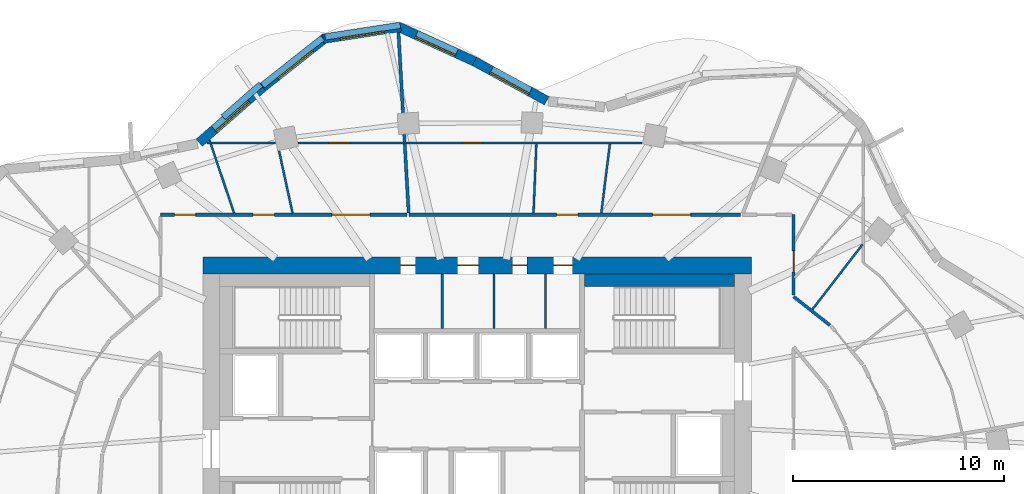
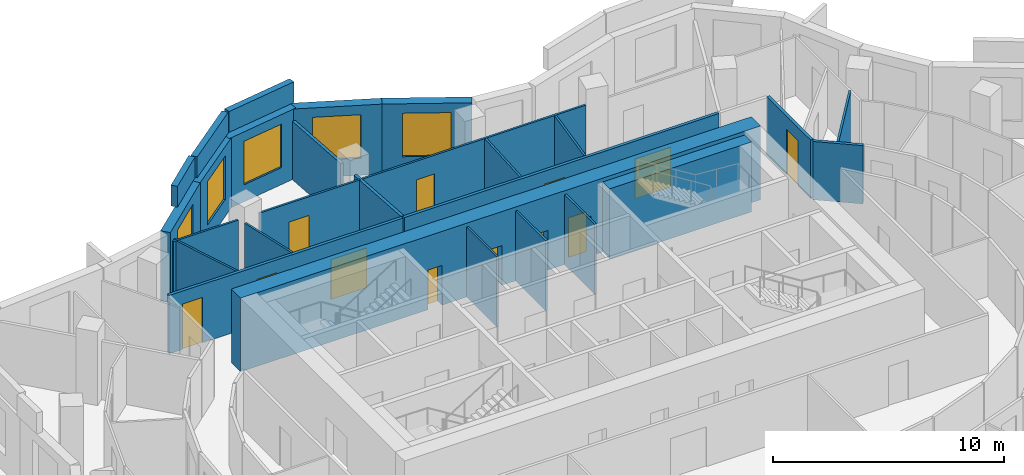
# One storey, part 9 of 12: 27 walls, 12 doors, 5 windows, 17 openings.
"""IFC4 building model written with IfcOpenShell, lengths in metres."""

from ifc_helpers import new_model, si_unit, direction, frame, frame_2d, origin, place, context, subcontext, project, spatial, rectangle, extrude, material, layer, layer_set, type_object, element, fill, save


model = new_model("IFC4")

# Units and contexts
model_context = context("Model", 3, precision=1e-05, world=origin(), true_north=direction((0.0, 1.0)))
body_context = subcontext(model_context, "Body", "Model", "MODEL_VIEW")
ifc_project = project(units=[si_unit("LENGTHUNIT", "METRE"), si_unit("AREAUNIT", "SQUARE_METRE"), si_unit("VOLUMEUNIT", "CUBIC_METRE"), si_unit("PLANEANGLEUNIT", "RADIAN"), si_unit("MASSUNIT", "GRAM", prefix="KILO")], contexts=[model_context])

# Site, building, storey
site_placement = place(None, origin())
site = spatial("IfcSite", under=ifc_project, at=site_placement, CompositionType="ELEMENT")
building_placement = place(site_placement, origin())
building = spatial("IfcBuilding", under=site, at=building_placement, Name="Rubra Terraces Tower", CompositionType="ELEMENT")
storey_placement = place(building_placement, frame((0.0, 0.0, 201.300048828125)))
storey = spatial("IfcBuildingStorey", under=building, at=storey_placement, Name="L49", CompositionType="ELEMENT", Elevation=201.300048828125)

# Wall, opening, window
ifc_material_1 = material(Name="Brick masonry red-brown", Category="masonry")
ifc_layer_1 = layer(ifc_material_1, 0.449951171875)
ifc_layer_set_1 = layer_set([ifc_layer_1], Name="Brick masonry red-brown")
wall_type_1 = type_object("IfcWallType", Name="Brick facade wall 450", PredefinedType="SOLIDWALL", material=ifc_layer_set_1)
wall_1_placement = place(storey_placement, frame((3.302001953125, 19.40087890625, 0.0), z_axis=(0.0, 0.0, 1.0), x_axis=(-0.878060540763, 0.47854956562, 0.0)))
wall_1 = element("IfcWall", 1, at=wall_1_placement, inside=storey, type_object=wall_type_1, Name="Facade wall L49 bay 10", PredefinedType="SOLIDWALL", context=body_context, shape_type="SweptSolid", body=[
    extrude(rectangle(XDim=3.9013671875, YDim=0.449951171875, at=frame_2d((1.95068359375, 0.0))), origin(), (0.0, 0.0, 1.0), 3.699951171875),
])
opening_1_placement = place(wall_1_placement, frame((0.900634765625, 0.0, 0.89990234375)))
opening_1 = element("IfcOpeningElement", 2, at=opening_1_placement, cuts=wall_1, Name="Opening W1B", PredefinedType="OPENING", context=body_context, shape_type="SweptSolid", body=[
    extrude(rectangle(XDim=2.10009765625, YDim=2.300048828125, at=frame_2d((1.050048828125, 1.14990234375))), frame((0.0, 0.23486328125, 0.0), z_axis=(0.0, -1.0, 0.0), x_axis=(1.0, 0.0, 0.0)), (0.0, 0.0, 1.0), 0.469970703125),
])
ifc_material_2 = material(Name="Clear glass in aluminium frame", Category="aluminium")
window_type = type_object("IfcWindowType", Name="Fixed deep-set window tall storey 2100 x 2300", PartitioningType="SINGLE_PANEL", PredefinedType="WINDOW", material=ifc_material_2)
window_1_placement = place(opening_1_placement, origin())
window_1 = element("IfcWindow", 3, at=window_1_placement, inside=storey, type_object=window_type, Name="Window L49 bay 10", OverallHeight=2.300048828125, OverallWidth=2.10009765625, PartitioningType="SINGLE_PANEL", PredefinedType="WINDOW", context=body_context, shape_type="SweptSolid", body=[
    extrude(rectangle(XDim=2.10009765625, YDim=2.300048828125, at=frame_2d((1.050048828125, 1.14990234375))), frame((0.0, 0.135009765625, 0.0), z_axis=(0.0, -1.0, 0.0), x_axis=(1.0, 0.0, 0.0)), (0.0, 0.0, 1.0), 0.06005859375),
])
fill(opening_1, window_1)

wall_2_placement = place(storey_placement, frame((-0.109130859375, 21.260986328125, 0.0), z_axis=(0.0, 0.0, 1.0), x_axis=(-0.910040573706, 0.414519184367, 0.0)))
wall_2 = element("IfcWall", 4, at=wall_2_placement, inside=storey, type_object=wall_type_1, Name="Facade wall L49 bay 11", PredefinedType="SOLIDWALL", context=body_context, shape_type="SweptSolid", body=[
    extrude(rectangle(XDim=4.005615234375, YDim=0.449951171875, at=frame_2d((2.0029296875, 0.0))), origin(), (0.0, 0.0, 1.0), 3.699951171875),
])
opening_2_placement = place(wall_2_placement, frame((0.952880859375, 0.0, 0.89990234375)))
opening_2 = element("IfcOpeningElement", 5, at=opening_2_placement, cuts=wall_2, Name="Opening W1B", PredefinedType="OPENING", context=body_context, shape_type="SweptSolid", body=[
    extrude(rectangle(XDim=2.10009765625, YDim=2.300048828125, at=frame_2d((1.050048828125, 1.14990234375))), frame((0.0, 0.23486328125, 0.0), z_axis=(0.0, -1.0, 0.0), x_axis=(1.0, 0.0, 0.0)), (0.0, 0.0, 1.0), 0.469970703125),
])
window_2_placement = place(opening_2_placement, origin())
window_2 = element("IfcWindow", 6, at=window_2_placement, inside=storey, type_object=window_type, Name="Window L49 bay 11", OverallHeight=2.300048828125, OverallWidth=2.10009765625, PartitioningType="SINGLE_PANEL", PredefinedType="WINDOW", context=body_context, shape_type="SweptSolid", body=[
    extrude(rectangle(XDim=2.10009765625, YDim=2.300048828125, at=frame_2d((1.050048828125, 1.14990234375))), frame((0.0, 0.135009765625, 0.0), z_axis=(0.0, -1.0, 0.0), x_axis=(1.0, 0.0, 0.0)), (0.0, 0.0, 1.0), 0.06005859375),
])
fill(opening_2, window_2)

wall_3_placement = place(storey_placement, frame((-3.628662109375, 22.904541015625, 0.0), z_axis=(0.0, 0.0, 1.0), x_axis=(-0.988300084321, -0.152521943772, 0.0)))
wall_3 = element("IfcWall", 7, at=wall_3_placement, inside=storey, type_object=wall_type_1, Name="Facade wall L49 bay 12", PredefinedType="SOLIDWALL", context=body_context, shape_type="SweptSolid", body=[
    extrude(rectangle(XDim=3.71044921875, YDim=0.449951171875, at=frame_2d((1.855224609375, 0.0))), origin(), (0.0, 0.0, 1.0), 3.699951171875),
])
opening_3_placement = place(wall_3_placement, frame((0.80517578125, 0.0, 0.89990234375)))
opening_3 = element("IfcOpeningElement", 8, at=opening_3_placement, cuts=wall_3, Name="Opening W1B", PredefinedType="OPENING", context=body_context, shape_type="SweptSolid", body=[
    extrude(rectangle(XDim=2.10009765625, YDim=2.300048828125, at=frame_2d((1.050048828125, 1.14990234375))), frame((0.0, 0.23486328125, 0.0), z_axis=(0.0, -1.0, 0.0), x_axis=(1.0, 0.0, 0.0)), (0.0, 0.0, 1.0), 0.469970703125),
])
window_3_placement = place(opening_3_placement, origin())
window_3 = element("IfcWindow", 9, at=window_3_placement, inside=storey, type_object=window_type, Name="Window L49 bay 12", OverallHeight=2.300048828125, OverallWidth=2.10009765625, PartitioningType="SINGLE_PANEL", PredefinedType="WINDOW", context=body_context, shape_type="SweptSolid", body=[
    extrude(rectangle(XDim=2.10009765625, YDim=2.300048828125, at=frame_2d((1.050048828125, 1.14990234375))), frame((0.0, 0.135009765625, 0.0), z_axis=(0.0, -1.0, 0.0), x_axis=(1.0, 0.0, 0.0)), (0.0, 0.0, 1.0), 0.06005859375),
])
fill(opening_3, window_3)

wall_4_placement = place(storey_placement, frame((-7.192626953125, 22.3828125, 0.0), z_axis=(0.0, 0.0, 1.0), x_axis=(-0.784803291184, -0.619744942816, 0.0)))
wall_4 = element("IfcWall", 10, at=wall_4_placement, inside=storey, type_object=wall_type_1, Name="Facade wall L49 bay 13", PredefinedType="SOLIDWALL", context=body_context, shape_type="SweptSolid", body=[
    extrude(rectangle(XDim=3.774658203125, YDim=0.449951171875, at=frame_2d((1.88720703125, 0.0))), origin(), (0.0, 0.0, 1.0), 3.699951171875),
])
opening_4_placement = place(wall_4_placement, frame((0.83740234375, 0.0, 0.89990234375)))
opening_4 = element("IfcOpeningElement", 11, at=opening_4_placement, cuts=wall_4, Name="Opening W1B", PredefinedType="OPENING", context=body_context, shape_type="SweptSolid", body=[
    extrude(rectangle(XDim=2.10009765625, YDim=2.300048828125, at=frame_2d((1.050048828125, 1.14990234375))), frame((0.0, 0.23486328125, 0.0), z_axis=(0.0, -1.0, 0.0), x_axis=(1.0, 0.0, 0.0)), (0.0, 0.0, 1.0), 0.469970703125),
])
window_4_placement = place(opening_4_placement, origin())
window_4 = element("IfcWindow", 12, at=window_4_placement, inside=storey, type_object=window_type, Name="Window L49 bay 13", OverallHeight=2.300048828125, OverallWidth=2.10009765625, PartitioningType="SINGLE_PANEL", PredefinedType="WINDOW", context=body_context, shape_type="SweptSolid", body=[
    extrude(rectangle(XDim=2.10009765625, YDim=2.300048828125, at=frame_2d((1.050048828125, 1.14990234375))), frame((0.0, 0.135009765625, 0.0), z_axis=(0.0, -1.0, 0.0), x_axis=(1.0, 0.0, 0.0)), (0.0, 0.0, 1.0), 0.06005859375),
])
fill(opening_4, window_4)

wall_5_placement = place(storey_placement, frame((-10.146484375, 20.050537109375, 0.0), z_axis=(0.0, 0.0, 1.0), x_axis=(-0.753278140428, -0.657702093013, 0.0)))
wall_5 = element("IfcWall", 13, at=wall_5_placement, inside=storey, type_object=wall_type_1, Name="Facade wall L49 bay 14", PredefinedType="SOLIDWALL", context=body_context, shape_type="SweptSolid", body=[
    extrude(rectangle(XDim=4.0078125, YDim=0.449951171875, at=frame_2d((2.00390625, 0.0))), origin(), (0.0, 0.0, 1.0), 3.699951171875),
])
opening_5_placement = place(wall_5_placement, frame((0.9541015625, 0.0, 0.89990234375)))
opening_5 = element("IfcOpeningElement", 14, at=opening_5_placement, cuts=wall_5, Name="Opening W1B", PredefinedType="OPENING", context=body_context, shape_type="SweptSolid", body=[
    extrude(rectangle(XDim=2.10009765625, YDim=2.300048828125, at=frame_2d((1.050048828125, 1.14990234375))), frame((0.0, 0.23486328125, 0.0), z_axis=(0.0, -1.0, 0.0), x_axis=(1.0, 0.0, 0.0)), (0.0, 0.0, 1.0), 0.469970703125),
])
window_5_placement = place(opening_5_placement, origin())
window_5 = element("IfcWindow", 15, at=window_5_placement, inside=storey, type_object=window_type, Name="Window L49 bay 14", OverallHeight=2.300048828125, OverallWidth=2.10009765625, PartitioningType="SINGLE_PANEL", PredefinedType="WINDOW", context=body_context, shape_type="SweptSolid", body=[
    extrude(rectangle(XDim=2.10009765625, YDim=2.300048828125, at=frame_2d((1.050048828125, 1.14990234375))), frame((0.0, 0.135009765625, 0.0), z_axis=(0.0, -1.0, 0.0), x_axis=(1.0, 0.0, 0.0)), (0.0, 0.0, 1.0), 0.06005859375),
])
fill(opening_5, window_5)

# Walls
ifc_layer_2 = layer(ifc_material_1, 0.300048828125)
ifc_layer_set_2 = layer_set([ifc_layer_2], Name="Brick masonry red-brown")
wall_type_2 = type_object("IfcWallType", Name="Brick parapet 300", PredefinedType="PARAPET", material=ifc_layer_set_2)
wall_6_placement = place(storey_placement, frame((-3.64013671875, 22.978759765625, 3.89990234375), z_axis=(0.0, 0.0, 1.0), x_axis=(-0.988299486994, -0.152525814235, 0.0)))
element("IfcWall", 16, at=wall_6_placement, inside=storey, type_object=wall_type_2, Name="Parapet L49 bay 12", PredefinedType="PARAPET", context=body_context, shape_type="SweptSolid", body=[
    extrude(rectangle(XDim=3.6015625, YDim=0.300048828125, at=frame_2d((1.80078125, 0.0))), origin(), (0.0, 0.0, 1.0), 1.10009765625),
])
wall_7_placement = place(storey_placement, frame((-7.322509765625, 22.375732421875, 3.89990234375), z_axis=(0.0, 0.0, 1.0), x_axis=(-0.784819122577, -0.61972489448, 0.0)))
element("IfcWall", 17, at=wall_7_placement, inside=storey, type_object=wall_type_2, Name="Parapet L49 bay 13", PredefinedType="PARAPET", context=body_context, shape_type="SweptSolid", body=[
    extrude(rectangle(XDim=3.63330078125, YDim=0.300048828125, at=frame_2d((1.816650390625, 0.0))), origin(), (0.0, 0.0, 1.0), 1.10009765625),
])
wall_8_placement = place(storey_placement, frame((-10.252197265625, 20.17431640625, 3.89990234375), z_axis=(0.0, 0.0, 1.0), x_axis=(-0.753260147018, -0.657722700622, 0.0)))
element("IfcWall", 18, at=wall_8_placement, inside=storey, type_object=wall_type_2, Name="Parapet L49 bay 14", PredefinedType="PARAPET", context=body_context, shape_type="SweptSolid", body=[
    extrude(rectangle(XDim=2.366455078125, YDim=0.300048828125, at=frame_2d((1.18310546875, 0.0))), origin(), (0.0, 0.0, 1.0), 1.10009765625),
])

# Wall, openings, doors
ifc_material_3 = material(Name="Concrete C50", Category="concrete")
ifc_layer_3 = layer(ifc_material_3, 0.800048828125)
ifc_layer_set_3 = layer_set([ifc_layer_3], Name="Concrete C50")
wall_type_3 = type_object("IfcWallType", Name="CORE WALL 800 C50", PredefinedType="SHEAR", material=ifc_layer_set_3)
wall_9_placement = place(storey_placement, frame((-13.0, 11.60009765625, 0.0), z_axis=(0.0, 0.0, 1.0), x_axis=(1.0, 0.0, 0.0)))
wall_9 = element("IfcWall", 19, at=wall_9_placement, inside=storey, type_object=wall_type_3, Name="CORE WALL N L49", PredefinedType="SHEAR", context=body_context, shape_type="SweptSolid", body=[
    extrude(rectangle(XDim=26.0, YDim=0.800048828125, at=frame_2d((13.0, 0.0))), origin(), (0.0, 0.0, 1.0), 3.89990234375),
])
opening_6_placement = place(wall_9_placement, frame((9.375, 0.0, 0.0)))
opening_6 = element("IfcOpeningElement", 20, at=opening_6_placement, cuts=wall_9, Name="Opening L49.C25", PredefinedType="OPENING", context=body_context, shape_type="SweptSolid", body=[
    extrude(rectangle(XDim=0.699951171875, YDim=2.10009765625, at=frame_2d((0.35009765625, 1.050048828125))), frame((0.0, 0.409912109375, 0.0), z_axis=(0.0, -1.0, 0.0), x_axis=(1.0, 0.0, 0.0)), (0.0, 0.0, 1.0), 0.820068359375),
])
opening_7_placement = place(wall_9_placement, frame((12.074951171875, 0.0, 0.0)))
opening_7 = element("IfcOpeningElement", 21, at=opening_7_placement, cuts=wall_9, Name="Opening L49.C26", PredefinedType="OPENING", context=body_context, shape_type="SweptSolid", body=[
    extrude(rectangle(XDim=1.0, YDim=2.10009765625, at=frame_2d((0.5, 1.050048828125))), frame((0.0, 0.409912109375, 0.0), z_axis=(0.0, -1.0, 0.0), x_axis=(1.0, 0.0, 0.0)), (0.0, 0.0, 1.0), 0.820068359375),
])
opening_8_placement = place(wall_9_placement, frame((14.675048828125, 0.0, 0.0)))
opening_8 = element("IfcOpeningElement", 22, at=opening_8_placement, cuts=wall_9, Name="Opening L49.C27", PredefinedType="OPENING", context=body_context, shape_type="SweptSolid", body=[
    extrude(rectangle(XDim=0.699951171875, YDim=2.10009765625, at=frame_2d((0.35009765625, 1.050048828125))), frame((0.0, 0.409912109375, 0.0), z_axis=(0.0, -1.0, 0.0), x_axis=(1.0, 0.0, 0.0)), (0.0, 0.0, 1.0), 0.820068359375),
])
opening_9_placement = place(wall_9_placement, frame((16.625, 0.0, 0.0)))
opening_9 = element("IfcOpeningElement", 23, at=opening_9_placement, cuts=wall_9, Name="Opening L49.C28", PredefinedType="OPENING", context=body_context, shape_type="SweptSolid", body=[
    extrude(rectangle(XDim=0.89990234375, YDim=2.10009765625, at=frame_2d((0.449951171875, 1.050048828125))), frame((0.0, 0.409912109375, 0.0), z_axis=(0.0, -1.0, 0.0), x_axis=(1.0, 0.0, 0.0)), (0.0, 0.0, 1.0), 0.820068359375),
])
ifc_material_4 = material(Name="Painted steel", Category="steel")
door_type_1 = type_object("IfcDoorType", Name="Fire door 1000x2100 single", OperationType="NOTDEFINED", PredefinedType="DOOR", material=ifc_material_4)
door_1_placement = place(opening_7_placement, origin())
door_1 = element("IfcDoor", 24, at=door_1_placement, inside=storey, type_object=door_type_1, Name="General store door", OperationType="SINGLE_SWING_RIGHT", OverallHeight=2.10009765625, OverallWidth=1.0, PredefinedType="DOOR", context=body_context, shape_type="SweptSolid", body=[
    extrude(rectangle(XDim=1.0, YDim=2.10009765625, at=frame_2d((0.5, 1.050048828125))), frame((0.0, 0.02490234375, 0.0), z_axis=(0.0, -1.0, 0.0), x_axis=(1.0, 0.0, 0.0)), (0.0, 0.0, 1.0), 0.050048828125),
])
fill(opening_7, door_1)
door_type_2 = type_object("IfcDoorType", Name="Fire door 900x2100 single", OperationType="NOTDEFINED", PredefinedType="DOOR", material=ifc_material_4)
door_2_placement = place(opening_9_placement, origin())
door_2 = element("IfcDoor", 25, at=door_2_placement, inside=storey, type_object=door_type_2, Name="Cleaner's store door", OperationType="SINGLE_SWING_RIGHT", OverallHeight=2.10009765625, OverallWidth=0.89990234375, PredefinedType="DOOR", context=body_context, shape_type="SweptSolid", body=[
    extrude(rectangle(XDim=0.89990234375, YDim=2.10009765625, at=frame_2d((0.449951171875, 1.050048828125))), frame((0.0, 0.02490234375, 0.0), z_axis=(0.0, -1.0, 0.0), x_axis=(1.0, 0.0, 0.0)), (0.0, 0.0, 1.0), 0.050048828125),
])
fill(opening_9, door_2)
door_type_3 = type_object("IfcDoorType", Name="Riser access door 700x2100 single", OperationType="NOTDEFINED", PredefinedType="DOOR", material=ifc_material_4)
door_3_placement = place(opening_6_placement, origin())
door_3 = element("IfcDoor", 26, at=door_3_placement, inside=storey, type_object=door_type_3, Name="Telecoms room door", OperationType="SINGLE_SWING_LEFT", OverallHeight=2.10009765625, OverallWidth=0.699951171875, PredefinedType="DOOR", context=body_context, shape_type="SweptSolid", body=[
    extrude(rectangle(XDim=0.699951171875, YDim=2.10009765625, at=frame_2d((0.35009765625, 1.050048828125))), frame((0.0, 0.02490234375, 0.0), z_axis=(0.0, -1.0, 0.0), x_axis=(1.0, 0.0, 0.0)), (0.0, 0.0, 1.0), 0.050048828125),
])
fill(opening_6, door_3)
door_4_placement = place(opening_8_placement, origin())
door_4 = element("IfcDoor", 27, at=door_4_placement, inside=storey, type_object=door_type_3, Name="Electrical riser room door", OperationType="SINGLE_SWING_LEFT", OverallHeight=2.10009765625, OverallWidth=0.699951171875, PredefinedType="DOOR", context=body_context, shape_type="SweptSolid", body=[
    extrude(rectangle(XDim=0.699951171875, YDim=2.10009765625, at=frame_2d((0.35009765625, 1.050048828125))), frame((0.0, 0.02490234375, 0.0), z_axis=(0.0, -1.0, 0.0), x_axis=(1.0, 0.0, 0.0)), (0.0, 0.0, 1.0), 0.050048828125),
])
fill(opening_8, door_4)

# Wall
ifc_material_5 = material(Name="Plasterboard on steel stud, mineral wool infill", Category="steel")
ifc_layer_4 = layer(ifc_material_5, 0.14990234375)
ifc_layer_set_4 = layer_set([ifc_layer_4], Name="Plasterboard on steel stud, mineral wool infill")
wall_type_4 = type_object("IfcWallType", Name="CORRIDOR PARTITION 150", PredefinedType="PARTITIONING", material=ifc_layer_set_4)
wall_10_placement = place(storey_placement, frame((16.723876953125, 8.761474609375, 0.0), z_axis=(0.0, 0.0, 1.0), x_axis=(-0.785124633057, 0.619337800047, 0.0)))
element("IfcWall", 28, at=wall_10_placement, inside=storey, type_object=wall_type_4, Name="PARTITION", PredefinedType="PARTITIONING", context=body_context, shape_type="SweptSolid", body=[
    extrude(rectangle(XDim=2.195556640625, YDim=0.14990234375, at=frame_2d((1.09765625, 0.0))), origin(), (0.0, 0.0, 1.0), 3.083984375),
])

# Wall, opening, door
wall_11_placement = place(storey_placement, frame((15.0, 10.1962890625, 0.0), z_axis=(0.0, 0.0, 1.0), x_axis=(0.0, 1.0, 0.0)))
wall_11 = element("IfcWall", 29, at=wall_11_placement, inside=storey, type_object=wall_type_4, Name="PARTITION", PredefinedType="PARTITIONING", context=body_context, shape_type="SweptSolid", body=[
    extrude(rectangle(XDim=3.8037109375, YDim=0.14990234375, at=frame_2d((1.90185546875, 0.0))), origin(), (0.0, 0.0, 1.0), 3.083984375),
])
opening_10_placement = place(wall_11_placement, frame((1.096923828125, 0.0, 0.0)))
opening_10 = element("IfcOpeningElement", 30, at=opening_10_placement, cuts=wall_11, Name="Opening 49-103", PredefinedType="OPENING", context=body_context, shape_type="SweptSolid", body=[
    extrude(rectangle(XDim=1.0, YDim=2.39990234375, at=frame_2d((0.5, 1.199951171875))), frame((0.0, 0.0849609375, 0.0), z_axis=(0.0, -1.0, 0.0), x_axis=(1.0, 0.0, 0.0)), (0.0, 0.0, 1.0), 0.169921875),
])
ifc_material_6 = material(Name="Glazed aluminium meeting door leaf", Category="aluminium")
door_type_4 = type_object("IfcDoorType", Name="MEETING ROOM GLAZED DOOR 1000 X 2400", OperationType="SINGLE_SWING_LEFT", PredefinedType="DOOR", material=ifc_material_6)
door_5_placement = place(opening_10_placement, origin())
door_5 = element("IfcDoor", 31, at=door_5_placement, inside=storey, type_object=door_type_4, Name="DOOR 49-103", OperationType="SINGLE_SWING_RIGHT", OverallHeight=2.39990234375, OverallWidth=1.0, PredefinedType="DOOR", context=body_context, shape_type="SweptSolid", body=[
    extrude(rectangle(XDim=1.0, YDim=2.39990234375, at=frame_2d((0.5, 1.199951171875))), frame((0.0, 0.02490234375, 0.0), z_axis=(0.0, -1.0, 0.0), x_axis=(1.0, 0.0, 0.0)), (0.0, 0.0, 1.0), 0.050048828125),
])
fill(opening_10, door_5)

# Wall, openings, doors
wall_12_placement = place(storey_placement, frame((12.494384765625, 14.0, 0.0), z_axis=(0.0, 0.0, 1.0), x_axis=(-1.0, 0.0, 0.0)))
wall_12 = element("IfcWall", 32, at=wall_12_placement, inside=storey, type_object=wall_type_4, Name="PARTITION", PredefinedType="PARTITIONING", context=body_context, shape_type="SweptSolid", body=[
    extrude(rectangle(XDim=15.732666015625, YDim=0.14990234375, at=frame_2d((7.8662109375, 0.0))), origin(), (0.0, 0.0, 1.0), 3.083984375),
])
opening_11_placement = place(wall_12_placement, frame((2.37109375, 0.0, 0.0)))
opening_11 = element("IfcOpeningElement", 33, at=opening_11_placement, cuts=wall_12, Name="Opening 49-104", PredefinedType="OPENING", context=body_context, shape_type="SweptSolid", body=[
    extrude(rectangle(XDim=1.800048828125, YDim=2.10009765625, at=frame_2d((0.89990234375, 1.050048828125))), frame((0.0, 0.0849609375, 0.0), z_axis=(0.0, -1.0, 0.0), x_axis=(1.0, 0.0, 0.0)), (0.0, 0.0, 1.0), 0.169921875),
])
opening_12_placement = place(wall_12_placement, frame((7.719970703125, 0.0, 0.0)))
opening_12 = element("IfcOpeningElement", 34, at=opening_12_placement, cuts=wall_12, Name="Opening 49-106", PredefinedType="OPENING", context=body_context, shape_type="SweptSolid", body=[
    extrude(rectangle(XDim=1.0, YDim=2.39990234375, at=frame_2d((0.5, 1.199951171875))), frame((0.0, 0.0849609375, 0.0), z_axis=(0.0, -1.0, 0.0), x_axis=(1.0, 0.0, 0.0)), (0.0, 0.0, 1.0), 0.169921875),
])
door_6_placement = place(opening_12_placement, origin())
door_6 = element("IfcDoor", 35, at=door_6_placement, inside=storey, type_object=door_type_4, Name="DOOR 49-106", OperationType="SINGLE_SWING_RIGHT", OverallHeight=2.39990234375, OverallWidth=1.0, PredefinedType="DOOR", context=body_context, shape_type="SweptSolid", body=[
    extrude(rectangle(XDim=1.0, YDim=2.39990234375, at=frame_2d((0.5, 1.199951171875))), frame((0.0, 0.02490234375, 0.0), z_axis=(0.0, -1.0, 0.0), x_axis=(1.0, 0.0, 0.0)), (0.0, 0.0, 1.0), 0.050048828125),
])
fill(opening_12, door_6)
ifc_material_7 = material(Name="Painted timber door leaf, double", Category="wood")
door_type_5 = type_object("IfcDoorType", Name="ROOM DOUBLE DOOR 1800 X 2100", OperationType="DOUBLE_DOOR_SINGLE_SWING", PredefinedType="DOOR", material=ifc_material_7)
door_7_placement = place(opening_11_placement, origin())
door_7 = element("IfcDoor", 36, at=door_7_placement, inside=storey, type_object=door_type_5, Name="DOOR 49-104", OperationType="DOUBLE_DOOR_SINGLE_SWING", OverallHeight=2.10009765625, OverallWidth=1.800048828125, PredefinedType="DOOR", context=body_context, shape_type="SweptSolid", body=[
    extrude(rectangle(XDim=1.800048828125, YDim=2.10009765625, at=frame_2d((0.89990234375, 1.050048828125))), frame((0.0, 0.02490234375, 0.0), z_axis=(0.0, -1.0, 0.0), x_axis=(1.0, 0.0, 0.0)), (0.0, 0.0, 1.0), 0.050048828125),
])
fill(opening_11, door_7)

wall_13_placement = place(storey_placement, frame((-3.313232421875, 14.0, 0.0), z_axis=(0.0, 0.0, 1.0), x_axis=(-1.0, 0.0, 0.0)))
wall_13 = element("IfcWall", 37, at=wall_13_placement, inside=storey, type_object=wall_type_4, Name="PARTITION", PredefinedType="PARTITIONING", context=body_context, shape_type="SweptSolid", body=[
    extrude(rectangle(XDim=11.686767578125, YDim=0.14990234375, at=frame_2d((5.84326171875, 0.0))), origin(), (0.0, 0.0, 1.0), 3.083984375),
])
opening_13_placement = place(wall_13_placement, frame((1.77001953125, 0.0, 0.0)))
opening_13 = element("IfcOpeningElement", 38, at=opening_13_placement, cuts=wall_13, Name="Opening 49-108", PredefinedType="OPENING", context=body_context, shape_type="SweptSolid", body=[
    extrude(rectangle(XDim=1.800048828125, YDim=2.10009765625, at=frame_2d((0.89990234375, 1.050048828125))), frame((0.0, 0.0849609375, 0.0), z_axis=(0.0, -1.0, 0.0), x_axis=(1.0, 0.0, 0.0)), (0.0, 0.0, 1.0), 0.169921875),
])
opening_14_placement = place(wall_13_placement, frame((6.297119140625, 0.0, 0.0)))
opening_14 = element("IfcOpeningElement", 39, at=opening_14_placement, cuts=wall_13, Name="Opening 49-110", PredefinedType="OPENING", context=body_context, shape_type="SweptSolid", body=[
    extrude(rectangle(XDim=1.0, YDim=2.39990234375, at=frame_2d((0.5, 1.199951171875))), frame((0.0, 0.0849609375, 0.0), z_axis=(0.0, -1.0, 0.0), x_axis=(1.0, 0.0, 0.0)), (0.0, 0.0, 1.0), 0.169921875),
])
opening_15_placement = place(wall_13_placement, frame((10.02099609375, 0.0, 0.0)))
opening_15 = element("IfcOpeningElement", 40, at=opening_15_placement, cuts=wall_13, Name="Opening 49-111", PredefinedType="OPENING", context=body_context, shape_type="SweptSolid", body=[
    extrude(rectangle(XDim=1.0, YDim=2.39990234375, at=frame_2d((0.5, 1.199951171875))), frame((0.0, 0.0849609375, 0.0), z_axis=(0.0, -1.0, 0.0), x_axis=(1.0, 0.0, 0.0)), (0.0, 0.0, 1.0), 0.169921875),
])
door_8_placement = place(opening_14_placement, origin())
door_8 = element("IfcDoor", 41, at=door_8_placement, inside=storey, type_object=door_type_4, Name="DOOR 49-110", OperationType="SINGLE_SWING_RIGHT", OverallHeight=2.39990234375, OverallWidth=1.0, PredefinedType="DOOR", context=body_context, shape_type="SweptSolid", body=[
    extrude(rectangle(XDim=1.0, YDim=2.39990234375, at=frame_2d((0.5, 1.199951171875))), frame((0.0, 0.02490234375, 0.0), z_axis=(0.0, -1.0, 0.0), x_axis=(1.0, 0.0, 0.0)), (0.0, 0.0, 1.0), 0.050048828125),
])
fill(opening_14, door_8)
door_9_placement = place(opening_15_placement, origin())
door_9 = element("IfcDoor", 42, at=door_9_placement, inside=storey, type_object=door_type_4, Name="DOOR 49-111", OperationType="SINGLE_SWING_RIGHT", OverallHeight=2.39990234375, OverallWidth=1.0, PredefinedType="DOOR", context=body_context, shape_type="SweptSolid", body=[
    extrude(rectangle(XDim=1.0, YDim=2.39990234375, at=frame_2d((0.5, 1.199951171875))), frame((0.0, 0.02490234375, 0.0), z_axis=(0.0, -1.0, 0.0), x_axis=(1.0, 0.0, 0.0)), (0.0, 0.0, 1.0), 0.050048828125),
])
fill(opening_15, door_9)
door_10_placement = place(opening_13_placement, origin())
door_10 = element("IfcDoor", 43, at=door_10_placement, inside=storey, type_object=door_type_5, Name="DOOR 49-108", OperationType="DOUBLE_DOOR_SINGLE_SWING", OverallHeight=2.10009765625, OverallWidth=1.800048828125, PredefinedType="DOOR", context=body_context, shape_type="SweptSolid", body=[
    extrude(rectangle(XDim=1.800048828125, YDim=2.10009765625, at=frame_2d((0.89990234375, 1.050048828125))), frame((0.0, 0.02490234375, 0.0), z_axis=(0.0, -1.0, 0.0), x_axis=(1.0, 0.0, 0.0)), (0.0, 0.0, 1.0), 0.050048828125),
])
fill(opening_13, door_10)

# Walls
ifc_material_8 = material(Name="Concrete C40", Category="concrete")
ifc_layer_5 = layer(ifc_material_8, 0.60009765625)
ifc_layer_set_5 = layer_set([ifc_layer_5], Name="Concrete C40")
wall_type_5 = type_object("IfcWallType", Name="Core lining wall 600 concrete", PredefinedType="SOLIDWALL", material=ifc_layer_set_5)
wall_14_placement = place(storey_placement, frame((12.199951171875, 10.89990234375, 0.0), z_axis=(0.0, 0.0, 1.0), x_axis=(-1.0, 0.0, 0.0)))
element("IfcWall", 44, at=wall_14_placement, inside=storey, type_object=wall_type_5, Name="CORE LINING WALL L49", PredefinedType="SOLIDWALL", context=body_context, shape_type="SweptSolid", body=[
    extrude(rectangle(XDim=7.099853515625, YDim=0.60009765625, at=frame_2d((3.5498046875, 0.0))), origin(), (0.0, 0.0, 1.0), 3.699951171875),
])
ifc_material_9 = material(Name="Plasterboard on steel stud", Category="steel")
ifc_layer_6 = layer(ifc_material_9, 0.10009765625)
ifc_layer_set_6 = layer_set([ifc_layer_6], Name="Plasterboard on steel stud")
wall_type_6 = type_object("IfcWallType", Name="ROOM PARTITION 100", PredefinedType="PARTITIONING", material=ifc_layer_set_6)
wall_15_placement = place(storey_placement, frame((15.89013671875, 9.514892578125, 0.0), z_axis=(0.0, 0.0, 1.0), x_axis=(0.611483217527, 0.791257401028, 0.0)))
element("IfcWall", 45, at=wall_15_placement, inside=storey, type_object=wall_type_6, Name="PARTITION", PredefinedType="PARTITIONING", context=body_context, shape_type="SweptSolid", body=[
    extrude(rectangle(XDim=3.890869140625, YDim=0.10009765625, at=frame_2d((1.9453125, 0.0))), origin(), (0.0, 0.0, 1.0), 3.083984375),
])

# Wall, opening, door
wall_16_placement = place(storey_placement, frame((-3.41015625, 17.39990234375, 0.0), z_axis=(0.0, 0.0, 1.0), x_axis=(1.0, 0.0, 0.0)))
wall_16 = element("IfcWall", 46, at=wall_16_placement, inside=storey, type_object=wall_type_6, Name="PARTITION", PredefinedType="PARTITIONING", context=body_context, shape_type="SweptSolid", body=[
    extrude(rectangle(XDim=11.234619140625, YDim=0.10009765625, at=frame_2d((5.6171875, 0.0))), origin(), (0.0, 0.0, 1.0), 3.083984375),
])
opening_16_placement = place(wall_16_placement, frame((2.751953125, 0.0, 0.0)))
opening_16 = element("IfcOpeningElement", 47, at=opening_16_placement, cuts=wall_16, Name="Opening 49-107", PredefinedType="OPENING", context=body_context, shape_type="SweptSolid", body=[
    extrude(rectangle(XDim=0.89990234375, YDim=2.10009765625, at=frame_2d((0.449951171875, 1.050048828125))), frame((0.0, 0.06005859375, 0.0), z_axis=(0.0, -1.0, 0.0), x_axis=(1.0, 0.0, 0.0)), (0.0, 0.0, 1.0), 0.1201171875),
])
ifc_material_10 = material(Name="Painted timber door leaf", Category="wood")
door_type_6 = type_object("IfcDoorType", Name="ROOM DOOR 900 X 2100", OperationType="SINGLE_SWING_LEFT", PredefinedType="DOOR", material=ifc_material_10)
door_11_placement = place(opening_16_placement, origin())
door_11 = element("IfcDoor", 48, at=door_11_placement, inside=storey, type_object=door_type_6, Name="DOOR 49-107", OperationType="SINGLE_SWING_LEFT", OverallHeight=2.10009765625, OverallWidth=0.89990234375, PredefinedType="DOOR", context=body_context, shape_type="SweptSolid", body=[
    extrude(rectangle(XDim=0.89990234375, YDim=2.10009765625, at=frame_2d((0.449951171875, 1.050048828125))), frame((0.0, 0.02490234375, 0.0), z_axis=(0.0, -1.0, 0.0), x_axis=(1.0, 0.0, 0.0)), (0.0, 0.0, 1.0), 0.050048828125),
])
fill(opening_16, door_11)

# Walls
wall_17_placement = place(storey_placement, frame((5.885986328125, 14.074462890625, 0.0), z_axis=(0.0, 0.0, 1.0), x_axis=(0.122778403884, 0.992434110427, 0.0)))
element("IfcWall", 49, at=wall_17_placement, inside=storey, type_object=wall_type_6, Name="PARTITION", PredefinedType="PARTITIONING", context=body_context, shape_type="SweptSolid", body=[
    extrude(rectangle(XDim=3.30078125, YDim=0.10009765625, at=frame_2d((1.650390625, 0.0))), origin(), (0.0, 0.0, 1.0), 3.083984375),
])
wall_18_placement = place(storey_placement, frame((2.674560546875, 14.074951171875, 0.0), z_axis=(0.0, 0.0, 1.0), x_axis=(0.040667038657, 0.999172753815, 0.0)))
element("IfcWall", 50, at=wall_18_placement, inside=storey, type_object=wall_type_6, Name="PARTITION", PredefinedType="PARTITIONING", context=body_context, shape_type="SweptSolid", body=[
    extrude(rectangle(XDim=3.27783203125, YDim=0.10009765625, at=frame_2d((1.638916015625, 0.0))), origin(), (0.0, 0.0, 1.0), 3.083984375),
])
wall_19_placement = place(storey_placement, frame((-12.809814453125, 17.39990234375, 0.0), z_axis=(0.0, 0.0, 1.0), x_axis=(1.0, 0.0, 0.0)))
element("IfcWall", 51, at=wall_19_placement, inside=storey, type_object=wall_type_6, Name="PARTITION", PredefinedType="PARTITIONING", context=body_context, shape_type="SweptSolid", body=[
    extrude(rectangle(XDim=3.263427734375, YDim=0.10009765625, at=frame_2d((1.6318359375, 0.0))), origin(), (0.0, 0.0, 1.0), 3.083984375),
])

# Wall, opening, door
wall_20_placement = place(storey_placement, frame((-8.482666015625, 17.39990234375, 0.0), z_axis=(0.0, 0.0, 1.0), x_axis=(1.0, 0.0, 0.0)))
wall_20 = element("IfcWall", 52, at=wall_20_placement, inside=storey, type_object=wall_type_6, Name="PARTITION", PredefinedType="PARTITIONING", context=body_context, shape_type="SweptSolid", body=[
    extrude(rectangle(XDim=5.032470703125, YDim=0.10009765625, at=frame_2d((2.51611328125, 0.0))), origin(), (0.0, 0.0, 1.0), 3.083984375),
])
opening_17_placement = place(wall_20_placement, frame((1.4580078125, 0.0, 0.0)))
opening_17 = element("IfcOpeningElement", 53, at=opening_17_placement, cuts=wall_20, Name="Opening 49-109", PredefinedType="OPENING", context=body_context, shape_type="SweptSolid", body=[
    extrude(rectangle(XDim=1.0, YDim=2.10009765625, at=frame_2d((0.5, 1.050048828125))), frame((0.0, 0.06005859375, 0.0), z_axis=(0.0, -1.0, 0.0), x_axis=(1.0, 0.0, 0.0)), (0.0, 0.0, 1.0), 0.1201171875),
])
door_type_7 = type_object("IfcDoorType", Name="ROOM DOOR 1000 X 2100", OperationType="SINGLE_SWING_LEFT", PredefinedType="DOOR", material=ifc_material_10)
door_12_placement = place(opening_17_placement, origin())
door_12 = element("IfcDoor", 54, at=door_12_placement, inside=storey, type_object=door_type_7, Name="DOOR 49-109", OperationType="SINGLE_SWING_LEFT", OverallHeight=2.10009765625, OverallWidth=1.0, PredefinedType="DOOR", context=body_context, shape_type="SweptSolid", body=[
    extrude(rectangle(XDim=1.0, YDim=2.10009765625, at=frame_2d((0.5, 1.050048828125))), frame((0.0, 0.02490234375, 0.0), z_axis=(0.0, -1.0, 0.0), x_axis=(1.0, 0.0, 0.0)), (0.0, 0.0, 1.0), 0.050048828125),
])
fill(opening_17, door_12)

# Walls
wall_21_placement = place(storey_placement, frame((-8.743896484375, 14.0732421875, 0.0), z_axis=(0.0, 0.0, 1.0), x_axis=(-0.21249342495, 0.977162496391, 0.0)))
element("IfcWall", 55, at=wall_21_placement, inside=storey, type_object=wall_type_6, Name="PARTITION", PredefinedType="PARTITIONING", context=body_context, shape_type="SweptSolid", body=[
    extrude(rectangle(XDim=3.019287109375, YDim=0.10009765625, at=frame_2d((1.509765625, 0.0))), origin(), (0.0, 0.0, 1.0), 3.083984375),
])
wall_22_placement = place(storey_placement, frame((-11.515380859375, 14.071044921875, 0.0), z_axis=(0.0, 0.0, 1.0), x_axis=(-0.31905751642, 0.947735353997, 0.0)))
element("IfcWall", 56, at=wall_22_placement, inside=storey, type_object=wall_type_6, Name="PARTITION", PredefinedType="PARTITIONING", context=body_context, shape_type="SweptSolid", body=[
    extrude(rectangle(XDim=3.647705078125, YDim=0.10009765625, at=frame_2d((1.82373046875, 0.0))), origin(), (0.0, 0.0, 1.0), 3.083984375),
])
ifc_layer_7 = layer(ifc_material_9, 0.14990234375)
ifc_layer_set_7 = layer_set([ifc_layer_7], Name="Plasterboard on steel stud")
wall_type_7 = type_object("IfcWallType", Name="ROOM PARTITION 150", PredefinedType="PARTITIONING", material=ifc_layer_set_7)
wall_23_placement = place(storey_placement, frame((-3.726806640625, 22.6572265625, 0.0), z_axis=(0.0, 0.0, 1.0), x_axis=(0.056374181452, -0.998409711324, 0.0)))
element("IfcWall", 57, at=wall_23_placement, inside=storey, type_object=wall_type_7, Name="PARTITION", PredefinedType="PARTITIONING", context=body_context, shape_type="SweptSolid", body=[
    extrude(rectangle(XDim=3.828369140625, YDim=0.14990234375, at=frame_2d((1.9140625, 0.0))), origin(), (0.0, 0.0, 1.0), 3.083984375),
])
wall_24_placement = place(storey_placement, frame((-3.452392578125, 17.79638671875, 0.0), z_axis=(0.0, 0.0, 1.0), x_axis=(0.056329758448, -0.998412218632, 0.0)))
element("IfcWall", 58, at=wall_24_placement, inside=storey, type_object=wall_type_7, Name="PARTITION", PredefinedType="PARTITIONING", context=body_context, shape_type="SweptSolid", body=[
    extrude(rectangle(XDim=3.727294921875, YDim=0.14990234375, at=frame_2d((1.86376953125, 0.0))), origin(), (0.0, 0.0, 1.0), 3.083984375),
])
ifc_material_11 = material(Name="Blockwork", Category="masonry")
ifc_layer_8 = layer(ifc_material_11, 0.10009765625)
ifc_layer_set_8 = layer_set([ifc_layer_8], Name="Blockwork")
wall_type_8 = type_object("IfcWallType", Name="Service partition 100 blockwork", PredefinedType="PARTITIONING", material=ifc_layer_set_8)
for number, where, z_axis, x_axis, name in (
    (59, (-1.64990234375, 8.60009765625, 0.0), (0.0, 0.0, 1.0), (0.0, 1.0, 0.0), "SERVICE ROOM PARTITION L49"),
    (60, (0.800048828125, 8.60009765625, 0.0), (0.0, 0.0, 1.0), (0.0, 1.0, 0.0), "SERVICE ROOM PARTITION L49"),
    (61, (3.25, 8.60009765625, 0.0), (0.0, 0.0, 1.0), (0.0, 1.0, 0.0), "SERVICE ROOM PARTITION L49"),
):
    element("IfcWall", number, at=place(storey_placement, frame(where, z_axis=z_axis, x_axis=x_axis)), inside=storey, type_object=wall_type_8, Name=name, PredefinedType="PARTITIONING", context=body_context, shape_type="SweptSolid", body=[
        extrude(rectangle(XDim=2.599853515625, YDim=0.10009765625, at=frame_2d((1.2998046875, 0.0))), origin(), (0.0, 0.0, 1.0), 3.699951171875),
    ])

save(model, "model.ifc")
